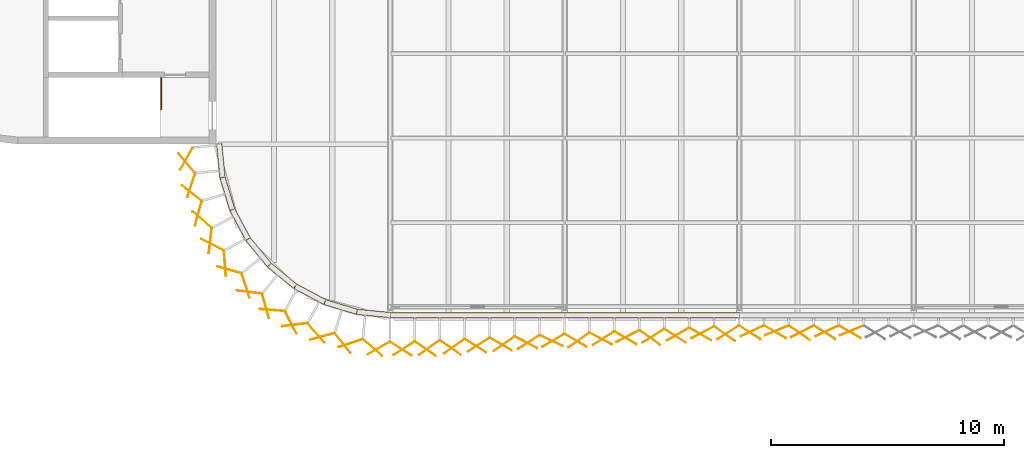
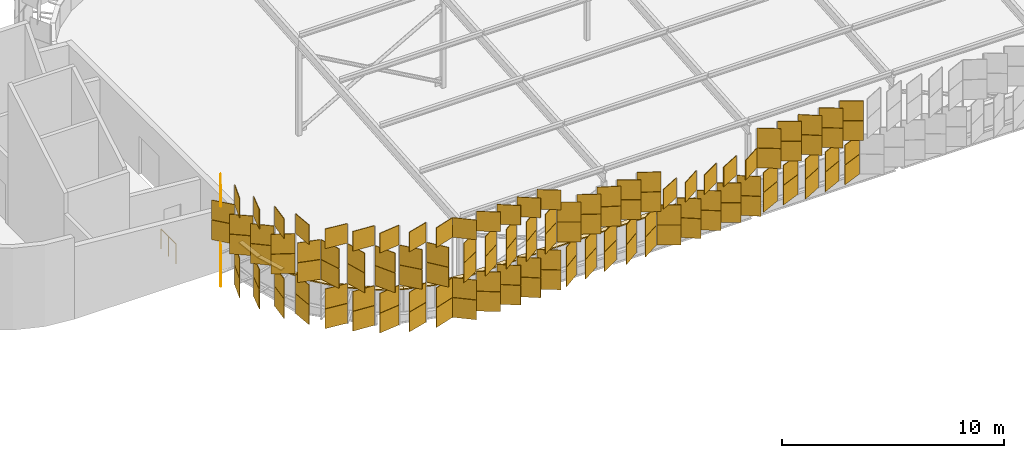
# One storey, part 461 of 483: 140 coverings, 1 railing.
"""IFC4 building model written with IfcOpenShell, lengths in metres."""

from ifc_helpers import new_model, si_unit, direction, frame, origin, origin_2d, place, context, subcontext, project, spatial, polyline, rectangle, circle, outline, extrude, material, layer, layer_set, type_object, element, save


model = new_model("IFC4")

# Units and contexts
model_context = context("Model", 3, precision=1e-05, world=origin(), true_north=direction((0.0, 1.0)))
body_context = subcontext(model_context, "Body", "Model", "MODEL_VIEW")
ifc_project = project(units=[si_unit("LENGTHUNIT", "METRE"), si_unit("AREAUNIT", "SQUARE_METRE"), si_unit("VOLUMEUNIT", "CUBIC_METRE"), si_unit("PLANEANGLEUNIT", "RADIAN"), si_unit("MASSUNIT", "GRAM", prefix="KILO")], contexts=[model_context])

# Site, building, storey
site_placement = place(None, origin())
site = spatial("IfcSite", under=ifc_project, at=site_placement, CompositionType="ELEMENT")
building_placement = place(site_placement, origin())
building = spatial("IfcBuilding", under=site, at=building_placement, Name="Parallax Yard Mobility Hub", CompositionType="ELEMENT")
storey_placement = place(building_placement, frame((0.0, 0.0, 13.199951171875)))
storey = spatial("IfcBuildingStorey", under=building, at=storey_placement, Name="L04", CompositionType="ELEMENT", Elevation=13.199951171875)

# Coverings
ifc_material_1 = material(Name="Concrete fc' 35 MPa", Category="concrete")
ifc_layer_1 = layer(ifc_material_1, 0.06005859375)
ifc_layer_set_1 = layer_set([ifc_layer_1], Name="Parapet coping, Concrete fc' 35 MPa precast, 240")
covering_type_1 = type_object("IfcCoveringType", Name="Parapet coping, Concrete fc' 35 MPa precast, 240", PredefinedType="USERDEFINED", material=ifc_layer_set_1)
covering_1_placement = place(storey_placement, frame((0.0, 0.0, 1.199951171875)))
element("IfcCovering", 1, at=covering_1_placement, inside=storey, type_object=covering_type_1, Name="Parapet coping run 5 part 1", ObjectType="COPING", PredefinedType="USERDEFINED", context=body_context, shape_type="SweptSolid", body=[
    extrude(outline(polyline([(22.76513671875, 120.02099609375), (22.5263671875, 119.997314453125), (22.671142578125, 118.53759765625), (22.90771484375, 118.584716796875), (22.76513671875, 120.02099609375)])), origin(), (0.0, 0.0, 1.0), 0.06005859375),
])
covering_2_placement = place(storey_placement, frame((0.0, 0.0, 1.199951171875)))
element("IfcCovering", 2, at=covering_2_placement, inside=storey, type_object=covering_type_1, Name="Parapet coping run 5 part 2", ObjectType="COPING", PredefinedType="USERDEFINED", context=body_context, shape_type="SweptSolid", body=[
    extrude(outline(polyline([(22.90771484375, 118.584716796875), (22.671142578125, 118.53759765625), (23.096923828125, 117.136474609375), (23.319580078125, 117.228759765625), (22.90771484375, 118.584716796875)])), origin(), (0.0, 0.0, 1.0), 0.06005859375),
])
covering_3_placement = place(storey_placement, frame((0.0, 0.0, 1.199951171875)))
element("IfcCovering", 3, at=covering_3_placement, inside=storey, type_object=covering_type_1, Name="Parapet coping run 5 part 3", ObjectType="COPING", PredefinedType="USERDEFINED", context=body_context, shape_type="SweptSolid", body=[
    extrude(outline(polyline([(23.319580078125, 117.228759765625), (23.096923828125, 117.136474609375), (23.787841796875, 115.84521484375), (23.98828125, 115.979248046875), (23.319580078125, 117.228759765625)])), origin(), (0.0, 0.0, 1.0), 0.06005859375),
])
covering_4_placement = place(storey_placement, frame((0.0, 0.0, 1.199951171875)))
element("IfcCovering", 4, at=covering_4_placement, inside=storey, type_object=covering_type_1, Name="Parapet coping run 5 part 4", ObjectType="COPING", PredefinedType="USERDEFINED", context=body_context, shape_type="SweptSolid", body=[
    extrude(outline(polyline([(23.98828125, 115.979248046875), (23.787841796875, 115.84521484375), (24.71728515625, 114.71337890625), (24.8876953125, 114.884033203125), (23.98828125, 115.979248046875)])), origin(), (0.0, 0.0, 1.0), 0.06005859375),
])
covering_5_placement = place(storey_placement, frame((0.0, 0.0, 1.199951171875)))
element("IfcCovering", 5, at=covering_5_placement, inside=storey, type_object=covering_type_1, Name="Parapet coping run 5 part 5", ObjectType="COPING", PredefinedType="USERDEFINED", context=body_context, shape_type="SweptSolid", body=[
    extrude(outline(polyline([(24.8876953125, 114.884033203125), (24.71728515625, 114.71337890625), (25.849609375, 113.784912109375), (25.9833984375, 113.9853515625), (24.8876953125, 114.884033203125)])), origin(), (0.0, 0.0, 1.0), 0.06005859375),
])
covering_6_placement = place(storey_placement, frame((0.0, 0.0, 1.199951171875)))
element("IfcCovering", 6, at=covering_6_placement, inside=storey, type_object=covering_type_1, Name="Parapet coping run 5 part 6", ObjectType="COPING", PredefinedType="USERDEFINED", context=body_context, shape_type="SweptSolid", body=[
    extrude(outline(polyline([(25.9833984375, 113.9853515625), (25.849609375, 113.784912109375), (27.14111328125, 113.0947265625), (27.2333984375, 113.3173828125), (25.9833984375, 113.9853515625)])), origin(), (0.0, 0.0, 1.0), 0.06005859375),
])
covering_7_placement = place(storey_placement, frame((0.0, 0.0, 1.199951171875)))
element("IfcCovering", 7, at=covering_7_placement, inside=storey, type_object=covering_type_1, Name="Parapet coping run 5 part 7", ObjectType="COPING", PredefinedType="USERDEFINED", context=body_context, shape_type="SweptSolid", body=[
    extrude(outline(polyline([(27.2333984375, 113.3173828125), (27.14111328125, 113.0947265625), (28.54248046875, 112.669677734375), (28.589599609375, 112.90625), (27.2333984375, 113.3173828125)])), origin(), (0.0, 0.0, 1.0), 0.06005859375),
])
covering_8_placement = place(storey_placement, frame((0.0, 0.0, 1.199951171875)))
element("IfcCovering", 8, at=covering_8_placement, inside=storey, type_object=covering_type_1, Name="Parapet coping run 5 part 8", ObjectType="COPING", PredefinedType="USERDEFINED", context=body_context, shape_type="SweptSolid", body=[
    extrude(outline(polyline([(28.589599609375, 112.90625), (28.54248046875, 112.669677734375), (30.001220703125, 112.52587890625), (30.01318359375, 112.76611328125), (28.589599609375, 112.90625)])), origin(), (0.0, 0.0, 1.0), 0.06005859375),
])
covering_9_placement = place(storey_placement, frame((0.0, 0.0, 1.199951171875)))
element("IfcCovering", 9, at=covering_9_placement, inside=storey, type_object=covering_type_1, Name="Parapet coping run 5 part 9", ObjectType="COPING", PredefinedType="USERDEFINED", context=body_context, shape_type="SweptSolid", body=[
    extrude(outline(polyline([(30.01318359375, 112.76611328125), (30.001220703125, 112.52587890625), (37.5, 112.52587890625), (37.5, 112.76611328125), (30.01318359375, 112.76611328125)])), origin(), (0.0, 0.0, 1.0), 0.06005859375),
])
covering_10_placement = place(storey_placement, frame((0.0, 0.0, 1.199951171875)))
element("IfcCovering", 10, at=covering_10_placement, inside=storey, type_object=covering_type_1, Name="Parapet coping run 5 part 10", ObjectType="COPING", PredefinedType="USERDEFINED", context=body_context, shape_type="SweptSolid", body=[
    extrude(outline(polyline([(37.5, 112.76611328125), (37.5, 112.52587890625), (45.0, 112.52587890625), (45.0, 112.76611328125), (37.5, 112.76611328125)])), origin(), (0.0, 0.0, 1.0), 0.06005859375),
])
ifc_material_2 = material(Name="Aluminium panel, silver anodised", Category="aluminium")
ifc_layer_2 = layer(ifc_material_2, 0.030029296875)
ifc_layer_set_2 = layer_set([ifc_layer_2], Name="Skin panel 22.5 degree turn, silver anodised")
covering_type_2 = type_object("IfcCoveringType", Name="Skin panel 22.5 degree turn, silver anodised", PredefinedType="CLADDING", material=ifc_layer_set_2)
for number, where, z_axis, x_axis, name in (
    (11, (46.615234375, 111.987060546875, 0.02001953125), (0.0, 0.0, 1.0), (-0.923879532511, -0.382683432365, 0.0), "Skin panel 22.5 bay 3.2 row 1 level L04"),
    (12, (46.615234375, 111.987060546875, 1.1201171875), (0.0, 0.0, 1.0), (-0.923879532511, -0.382683432365, 0.0), "Skin panel 22.5 bay 3.2 row 2 level L04"),
    (13, (49.829833984375, 111.987060546875, 0.02001953125), (0.0, 0.0, 1.0), (-0.923879532511, -0.382683432365, 0.0), "Skin panel 22.5 bay 3.5 row 1 level L04"),
    (14, (49.829833984375, 111.987060546875, 1.1201171875), (0.0, 0.0, 1.0), (-0.923879532511, -0.382683432365, 0.0), "Skin panel 22.5 bay 3.5 row 2 level L04"),
):
    element("IfcCovering", number, at=place(storey_placement, frame(where, z_axis=z_axis, x_axis=x_axis)), inside=storey, type_object=covering_type_2, Name=name, ObjectType="SCREEN", PredefinedType="CLADDING", context=body_context, shape_type="SweptSolid", body=[
        extrude(rectangle(XDim=1.080078125, YDim=0.030029296875, at=origin_2d()), origin(), (0.0, 0.0, 1.0), 1.080078125),
    ])
ifc_layer_3 = layer(ifc_material_2, 0.030029296875)
ifc_layer_set_3 = layer_set([ifc_layer_3], Name="Skin panel 25 degree turn, silver anodised")
covering_type_3 = type_object("IfcCoveringType", Name="Skin panel 25 degree turn, silver anodised", PredefinedType="CLADDING", material=ifc_layer_set_3)
for number, where, z_axis, x_axis, name in (
    (15, (36.91845703125, 111.548828125, 2.219970703125), (0.0, 0.0, 1.0), (0.906307787037, -0.422618261741, 0.0), "Skin panel 25 bay 1.7 row 3 level L04"),
    (16, (36.91845703125, 111.548828125, 3.320068359375), (0.0, 0.0, 1.0), (0.906307787037, -0.422618261741, 0.0), "Skin panel 25 bay 1.7 row 4 level L04"),
    (17, (45.5537109375, 111.96484375, 0.02001953125), (0.0, 0.0, 1.0), (-0.906307787037, -0.422618261741, 0.0), "Skin panel 25 bay 3.1 row 1 level L04"),
    (18, (45.5537109375, 111.96484375, 1.1201171875), (0.0, 0.0, 1.0), (-0.906307787037, -0.422618261741, 0.0), "Skin panel 25 bay 3.1 row 2 level L04"),
    (19, (48.76806640625, 111.96484375, 0.02001953125), (0.0, 0.0, 1.0), (-0.906307787037, -0.422618261741, 0.0), "Skin panel 25 bay 3.4 row 1 level L04"),
    (20, (48.76806640625, 111.96484375, 1.1201171875), (0.0, 0.0, 1.0), (-0.906307787037, -0.422618261741, 0.0), "Skin panel 25 bay 3.4 row 2 level L04"),
):
    element("IfcCovering", number, at=place(storey_placement, frame(where, z_axis=z_axis, x_axis=x_axis)), inside=storey, type_object=covering_type_3, Name=name, ObjectType="SCREEN", PredefinedType="CLADDING", context=body_context, shape_type="SweptSolid", body=[
        extrude(rectangle(XDim=1.080078125, YDim=0.030029296875, at=origin_2d()), origin(), (0.0, 0.0, 1.0), 1.080078125),
    ])
ifc_layer_4 = layer(ifc_material_2, 0.030029296875)
ifc_layer_set_4 = layer_set([ifc_layer_4], Name="Skin panel 27.5 degree turn, silver anodised")
covering_type_4 = type_object("IfcCoveringType", Name="Skin panel 27.5 degree turn, silver anodised", PredefinedType="CLADDING", material=ifc_layer_set_4)
for number, where, z_axis, x_axis, name in (
    (21, (35.836181640625, 111.473388671875, 2.219970703125), (0.0, 0.0, 1.0), (0.887010833178, -0.461748613235, 0.0), "Skin panel 27.5 bay 1.6 row 3 level L04"),
    (22, (35.836181640625, 111.473388671875, 3.320068359375), (0.0, 0.0, 1.0), (0.887010833178, -0.461748613235, 0.0), "Skin panel 27.5 bay 1.6 row 4 level L04"),
    (23, (39.05078125, 111.63427734375, 2.219970703125), (0.0, 0.0, 1.0), (0.887010833178, -0.461748613235, 0.0), "Skin panel 27.5 bay 2.2 row 3 level L04"),
    (24, (39.05078125, 111.63427734375, 3.320068359375), (0.0, 0.0, 1.0), (0.887010833178, -0.461748613235, 0.0), "Skin panel 27.5 bay 2.2 row 4 level L04"),
    (25, (40.206787109375, 111.7412109375, 2.219970703125), (0.0, 0.0, 1.0), (-0.887010833178, -0.461748613235, 0.0), "Skin panel 27.5 bay 2.3 row 3 level L04"),
    (26, (43.42138671875, 111.902099609375, 2.219970703125), (0.0, 0.0, 1.0), (-0.887010833178, -0.461748613235, 0.0), "Skin panel 27.5 bay 2.6 row 3 level L04"),
    (27, (47.707275390625, 111.943115234375, 0.02001953125), (0.0, 0.0, 1.0), (-0.887010833178, -0.461748613235, 0.0), "Skin panel 27.5 bay 3.3 row 1 level L04"),
    (28, (47.707275390625, 111.943115234375, 1.1201171875), (0.0, 0.0, 1.0), (-0.887010833178, -0.461748613235, 0.0), "Skin panel 27.5 bay 3.3 row 2 level L04"),
):
    element("IfcCovering", number, at=place(storey_placement, frame(where, z_axis=z_axis, x_axis=x_axis)), inside=storey, type_object=covering_type_4, Name=name, ObjectType="SCREEN", PredefinedType="CLADDING", context=body_context, shape_type="SweptSolid", body=[
        extrude(rectangle(XDim=1.080078125, YDim=0.030029296875, at=origin_2d()), origin(), (0.0, 0.0, 1.0), 1.080078125),
    ])
ifc_layer_5 = layer(ifc_material_2, 0.030029296875)
ifc_layer_set_5 = layer_set([ifc_layer_5], Name="Skin panel 30 degree turn, silver anodised")
covering_type_5 = type_object("IfcCoveringType", Name="Skin panel 30 degree turn, silver anodised", PredefinedType="CLADDING", material=ifc_layer_set_5)
for number, where, z_axis, x_axis, name in (
    (29, (34.753173828125, 111.398681640625, 2.219970703125), (0.0, 0.0, 1.0), (0.866025403784, -0.5, 0.0), "Skin panel 30 bay 1.5 row 3 level L04"),
    (30, (34.753173828125, 111.398681640625, 3.320068359375), (0.0, 0.0, 1.0), (0.866025403784, -0.5, 0.0), "Skin panel 30 bay 1.5 row 4 level L04"),
    (31, (37.00390625, 111.559326171875, 0.02001953125), (0.0, 0.0, 1.0), (-0.866025403784, -0.5, 0.0), "Skin panel 30 bay 1.7 row 1 level L04"),
    (32, (37.00390625, 111.559326171875, 1.1201171875), (0.0, 0.0, 1.0), (-0.866025403784, -0.5, 0.0), "Skin panel 30 bay 1.7 row 2 level L04"),
    (33, (37.967529296875, 111.559326171875, 2.219970703125), (0.0, 0.0, 1.0), (0.866025403784, -0.5, 0.0), "Skin panel 30 bay 2.1 row 3 level L04"),
    (34, (37.967529296875, 111.559326171875, 3.320068359375), (0.0, 0.0, 1.0), (0.866025403784, -0.5, 0.0), "Skin panel 30 bay 2.1 row 4 level L04"),
    (35, (40.110595703125, 111.66650390625, 0.02001953125), (0.0, 0.0, 1.0), (0.866025403784, -0.5, 0.0), "Skin panel 30 bay 2.3 row 1 level L04"),
    (36, (40.110595703125, 111.66650390625, 1.1201171875), (0.0, 0.0, 1.0), (0.866025403784, -0.5, 0.0), "Skin panel 30 bay 2.3 row 2 level L04"),
    (37, (42.361572265625, 111.8271484375, 2.219970703125), (0.0, 0.0, 1.0), (-0.866025403784, -0.5, 0.0), "Skin panel 30 bay 2.5 row 3 level L04"),
    (38, (43.3251953125, 111.8271484375, 0.02001953125), (0.0, 0.0, 1.0), (0.866025403784, -0.5, 0.0), "Skin panel 30 bay 2.6 row 1 level L04"),
    (39, (43.3251953125, 111.8271484375, 1.1201171875), (0.0, 0.0, 1.0), (0.866025403784, -0.5, 0.0), "Skin panel 30 bay 2.6 row 2 level L04"),
    (40, (46.53955078125, 111.921875, 2.219970703125), (0.0, 0.0, 1.0), (0.866025403784, -0.5, 0.0), "Skin panel 30 bay 3.2 row 3 level L04"),
    (41, (46.53955078125, 111.921875, 3.320068359375), (0.0, 0.0, 1.0), (0.866025403784, -0.5, 0.0), "Skin panel 30 bay 3.2 row 4 level L04"),
    (42, (49.754150390625, 111.921875, 2.219970703125), (0.0, 0.0, 1.0), (0.866025403784, -0.5, 0.0), "Skin panel 30 bay 3.5 row 3 level L04"),
    (43, (49.754150390625, 111.921875, 3.320068359375), (0.0, 0.0, 1.0), (0.866025403784, -0.5, 0.0), "Skin panel 30 bay 3.5 row 4 level L04"),
):
    element("IfcCovering", number, at=place(storey_placement, frame(where, z_axis=z_axis, x_axis=x_axis)), inside=storey, type_object=covering_type_5, Name=name, ObjectType="SCREEN", PredefinedType="CLADDING", context=body_context, shape_type="SweptSolid", body=[
        extrude(rectangle(XDim=1.080078125, YDim=0.030029296875, at=origin_2d()), origin(), (0.0, 0.0, 1.0), 1.080078125),
    ])
ifc_layer_6 = layer(ifc_material_2, 0.030029296875)
ifc_layer_set_6 = layer_set([ifc_layer_6], Name="Skin panel 32.5 degree turn, silver anodised")
covering_type_6 = type_object("IfcCoveringType", Name="Skin panel 32.5 degree turn, silver anodised", PredefinedType="CLADDING", material=ifc_layer_set_6)
for number, where, z_axis, x_axis, name in (
    (44, (21.748779296875, 117.013671875, 0.02001953125), (0.0, 0.0, 1.0), (-0.269340053953, -0.963045136708, 0.0), "Skin panel 32.5 bay 72.3 row 1 level L04"),
    (45, (21.748779296875, 117.013671875, 1.1201171875), (0.0, 0.0, 1.0), (-0.269340053953, -0.963045136708, 0.0), "Skin panel 32.5 bay 72.3 row 2 level L04"),
    (46, (21.909423828125, 116.753662109375, 2.219970703125), (0.0, 0.0, 1.0), (-0.758987281247, 0.651105449912, 0.0), "Skin panel 32.5 bay 72.3 row 3 level L04"),
    (47, (21.909423828125, 116.753662109375, 3.320068359375), (0.0, 0.0, 1.0), (-0.758987281247, 0.651105449912, 0.0), "Skin panel 32.5 bay 72.3 row 4 level L04"),
    (48, (21.748779296875, 117.013671875, 4.419921875), (0.0, 0.0, 1.0), (-0.269340053953, -0.963045136708, 0.0), "Skin panel 32.5 bay 72.3 row 5 level L04"),
    (49, (23.93896484375, 113.63818359375, 0.02001953125), (0.0, 0.0, 1.0), (-0.992809667009, 0.119703655305, 0.0), "Skin panel 32.5 bay 72.6 row 1 level L04"),
    (50, (23.93896484375, 113.63818359375, 1.1201171875), (0.0, 0.0, 1.0), (-0.992809667009, 0.119703655305, 0.0), "Skin panel 32.5 bay 72.6 row 2 level L04"),
    (51, (23.7861328125, 113.912109375, 2.219970703125), (0.0, 0.0, 1.0), (0.311091140771, -0.950380082985, 0.0), "Skin panel 32.5 bay 72.6 row 3 level L04"),
    (52, (23.7861328125, 113.912109375, 3.320068359375), (0.0, 0.0, 1.0), (0.311091140771, -0.950380082985, 0.0), "Skin panel 32.5 bay 72.6 row 4 level L04"),
    (53, (23.93896484375, 113.63818359375, 4.419921875), (0.0, 0.0, 1.0), (-0.992809667009, 0.119703655305, 0.0), "Skin panel 32.5 bay 72.6 row 5 level L04"),
    (54, (27.076171875, 111.729736328125, 0.02001953125), (0.0, 0.0, 1.0), (-0.963045136708, -0.269340053953, 0.0), "Skin panel 32.5 bay 72.9 row 1 level L04"),
    (55, (27.076171875, 111.729736328125, 1.1201171875), (0.0, 0.0, 1.0), (-0.963045136708, -0.269340053953, 0.0), "Skin panel 32.5 bay 72.9 row 2 level L04"),
    (56, (26.811279296875, 111.878662109375, 2.219970703125), (0.0, 0.0, 1.0), (0.651105449912, -0.758987281247, 0.0), "Skin panel 32.5 bay 72.9 row 3 level L04"),
    (57, (26.811279296875, 111.878662109375, 3.320068359375), (0.0, 0.0, 1.0), (0.651105449912, -0.758987281247, 0.0), "Skin panel 32.5 bay 72.9 row 4 level L04"),
    (58, (27.076171875, 111.729736328125, 4.419921875), (0.0, 0.0, 1.0), (-0.963045136708, -0.269340053953, 0.0), "Skin panel 32.5 bay 72.9 row 5 level L04"),
    (59, (30.45458984375, 111.201171875, 0.02001953125), (0.0, 0.0, 1.0), (0.843391445813, -0.537299608347, 0.0), "Skin panel 32.5 bay 1.1 row 1 level L04"),
    (60, (30.45458984375, 111.201171875, 1.1201171875), (0.0, 0.0, 1.0), (0.843391445813, -0.537299608347, 0.0), "Skin panel 32.5 bay 1.1 row 2 level L04"),
    (61, (30.58740234375, 111.217041015625, 2.219970703125), (0.0, 0.0, 1.0), (-0.843391445813, -0.537299608347, 0.0), "Skin panel 32.5 bay 1.1 row 3 level L04"),
    (62, (30.58740234375, 111.217041015625, 3.320068359375), (0.0, 0.0, 1.0), (-0.843391445813, -0.537299608347, 0.0), "Skin panel 32.5 bay 1.1 row 4 level L04"),
    (63, (30.45458984375, 111.201171875, 4.419921875), (0.0, 0.0, 1.0), (0.843391445813, -0.537299608347, 0.0), "Skin panel 32.5 bay 1.1 row 5 level L04"),
    (64, (33.6689453125, 111.32421875, 0.02001953125), (0.0, 0.0, 1.0), (0.843391445813, -0.537299608347, 0.0), "Skin panel 32.5 bay 1.4 row 1 level L04"),
    (65, (33.6689453125, 111.32421875, 1.1201171875), (0.0, 0.0, 1.0), (0.843391445813, -0.537299608347, 0.0), "Skin panel 32.5 bay 1.4 row 2 level L04"),
    (66, (33.802001953125, 111.3779296875, 2.219970703125), (0.0, 0.0, 1.0), (-0.843391445813, -0.537299608347, 0.0), "Skin panel 32.5 bay 1.4 row 3 level L04"),
    (67, (33.802001953125, 111.3779296875, 3.320068359375), (0.0, 0.0, 1.0), (-0.843391445813, -0.537299608347, 0.0), "Skin panel 32.5 bay 1.4 row 4 level L04"),
    (68, (33.6689453125, 111.32421875, 4.419921875), (0.0, 0.0, 1.0), (0.843391445813, -0.537299608347, 0.0), "Skin panel 32.5 bay 1.4 row 5 level L04"),
    (69, (35.945068359375, 111.485107421875, 0.02001953125), (0.0, 0.0, 1.0), (-0.843391445813, -0.537299608347, 0.0), "Skin panel 32.5 bay 1.6 row 1 level L04"),
    (70, (35.945068359375, 111.485107421875, 1.1201171875), (0.0, 0.0, 1.0), (-0.843391445813, -0.537299608347, 0.0), "Skin panel 32.5 bay 1.6 row 2 level L04"),
    (71, (39.15966796875, 111.645751953125, 0.02001953125), (0.0, 0.0, 1.0), (-0.843391445813, -0.537299608347, 0.0), "Skin panel 32.5 bay 2.2 row 1 level L04"),
    (72, (39.15966796875, 111.645751953125, 1.1201171875), (0.0, 0.0, 1.0), (-0.843391445813, -0.537299608347, 0.0), "Skin panel 32.5 bay 2.2 row 2 level L04"),
    (73, (41.302490234375, 111.7529296875, 2.219970703125), (0.0, 0.0, 1.0), (-0.843391445813, -0.537299608347, 0.0), "Skin panel 32.5 bay 2.4 row 3 level L04"),
    (74, (42.240966796875, 111.7529296875, 0.02001953125), (0.0, 0.0, 1.0), (0.843391445813, -0.537299608347, 0.0), "Skin panel 32.5 bay 2.5 row 1 level L04"),
    (75, (42.240966796875, 111.7529296875, 1.1201171875), (0.0, 0.0, 1.0), (0.843391445813, -0.537299608347, 0.0), "Skin panel 32.5 bay 2.5 row 2 level L04"),
    (76, (44.51708984375, 111.901123046875, 2.219970703125), (0.0, 0.0, 1.0), (-0.843391445813, -0.537299608347, 0.0), "Skin panel 32.5 bay 2.7 row 3 level L04"),
    (77, (45.45556640625, 111.901123046875, 2.219970703125), (0.0, 0.0, 1.0), (0.843391445813, -0.537299608347, 0.0), "Skin panel 32.5 bay 3.1 row 3 level L04"),
    (78, (45.45556640625, 111.901123046875, 3.320068359375), (0.0, 0.0, 1.0), (0.843391445813, -0.537299608347, 0.0), "Skin panel 32.5 bay 3.1 row 4 level L04"),
    (79, (48.669921875, 111.901123046875, 2.219970703125), (0.0, 0.0, 1.0), (0.843391445813, -0.537299608347, 0.0), "Skin panel 32.5 bay 3.4 row 3 level L04"),
    (80, (48.669921875, 111.901123046875, 3.320068359375), (0.0, 0.0, 1.0), (0.843391445813, -0.537299608347, 0.0), "Skin panel 32.5 bay 3.4 row 4 level L04"),
):
    element("IfcCovering", number, at=place(storey_placement, frame(where, z_axis=z_axis, x_axis=x_axis)), inside=storey, type_object=covering_type_6, Name=name, ObjectType="SCREEN", PredefinedType="CLADDING", context=body_context, shape_type="SweptSolid", body=[
        extrude(rectangle(XDim=1.080078125, YDim=0.030029296875, at=origin_2d()), origin(), (0.0, 0.0, 1.0), 1.080078125),
    ])
ifc_layer_7 = layer(ifc_material_2, 0.030029296875)
ifc_layer_set_7 = layer_set([ifc_layer_7], Name="Skin panel 35 degree turn, silver anodised")
covering_type_7 = type_object("IfcCoveringType", Name="Skin panel 35 degree turn, silver anodised", PredefinedType="CLADDING", material=ifc_layer_set_7)
for number, where, z_axis, x_axis, name in (
    (81, (21.23681640625, 119.36669921875, 0.02001953125), (0.0, 0.0, 1.0), (-0.490523568159, -0.87142792535, 0.0), "Skin panel 35 bay 72.1 row 1 level L04"),
    (82, (21.23681640625, 119.36669921875, 1.1201171875), (0.0, 0.0, 1.0), (-0.490523568159, -0.87142792535, 0.0), "Skin panel 35 bay 72.1 row 2 level L04"),
    (83, (21.255615234375, 119.175537109375, 2.219970703125), (0.0, 0.0, 1.0), (-0.651105449912, 0.758987281247, 0.0), "Skin panel 35 bay 72.1 row 3 level L04"),
    (84, (21.255615234375, 119.175537109375, 3.320068359375), (0.0, 0.0, 1.0), (-0.651105449912, 0.758987281247, 0.0), "Skin panel 35 bay 72.1 row 4 level L04"),
    (85, (21.23681640625, 119.36669921875, 4.419921875), (0.0, 0.0, 1.0), (-0.490523568159, -0.87142792535, 0.0), "Skin panel 35 bay 72.1 row 5 level L04"),
    (86, (21.44482421875, 118.224609375, 0.02001953125), (0.0, 0.0, 1.0), (-0.311091140771, -0.950380082985, 0.0), "Skin panel 35 bay 72.2 row 1 level L04"),
    (87, (21.44482421875, 118.224609375, 1.1201171875), (0.0, 0.0, 1.0), (-0.311091140771, -0.950380082985, 0.0), "Skin panel 35 bay 72.2 row 2 level L04"),
    (88, (21.4609375, 117.892822265625, 2.219970703125), (0.0, 0.0, 1.0), (-0.786665714369, 0.617379181571, 0.0), "Skin panel 35 bay 72.2 row 3 level L04"),
    (89, (21.4609375, 117.892822265625, 3.320068359375), (0.0, 0.0, 1.0), (-0.786665714369, 0.617379181571, 0.0), "Skin panel 35 bay 72.2 row 4 level L04"),
    (90, (21.44482421875, 118.224609375, 4.419921875), (0.0, 0.0, 1.0), (-0.311091140771, -0.950380082985, 0.0), "Skin panel 35 bay 72.2 row 5 level L04"),
    (91, (22.26513671875, 115.839111328125, 0.02001953125), (0.0, 0.0, 1.0), (-0.119703655305, -0.992809667009, 0.0), "Skin panel 35 bay 72.4 row 1 level L04"),
    (92, (22.26513671875, 115.839111328125, 1.1201171875), (0.0, 0.0, 1.0), (-0.119703655305, -0.992809667009, 0.0), "Skin panel 35 bay 72.4 row 2 level L04"),
    (93, (22.355712890625, 115.669677734375, 2.219970703125), (0.0, 0.0, 1.0), (-0.891994856589, 0.452045546177, 0.0), "Skin panel 35 bay 72.4 row 3 level L04"),
    (94, (22.355712890625, 115.669677734375, 3.320068359375), (0.0, 0.0, 1.0), (-0.891994856589, 0.452045546177, 0.0), "Skin panel 35 bay 72.4 row 4 level L04"),
    (95, (22.26513671875, 115.839111328125, 4.419921875), (0.0, 0.0, 1.0), (-0.119703655305, -0.992809667009, 0.0), "Skin panel 35 bay 72.4 row 5 level L04"),
    (96, (22.894287109375, 114.86328125, 0.02001953125), (0.0, 0.0, 1.0), (0.076283974504, -0.997086132304, 0.0), "Skin panel 35 bay 72.5 row 1 level L04"),
    (97, (22.894287109375, 114.86328125, 1.1201171875), (0.0, 0.0, 1.0), (0.076283974504, -0.997086132304, 0.0), "Skin panel 35 bay 72.5 row 2 level L04"),
    (98, (23.077392578125, 114.590576171875, 2.219970703125), (0.0, 0.0, 1.0), (-0.963045136708, 0.269340053953, 0.0), "Skin panel 35 bay 72.5 row 3 level L04"),
    (99, (23.077392578125, 114.590576171875, 3.320068359375), (0.0, 0.0, 1.0), (-0.963045136708, 0.269340053953, 0.0), "Skin panel 35 bay 72.5 row 4 level L04"),
    (100, (22.894287109375, 114.86328125, 4.419921875), (0.0, 0.0, 1.0), (0.076283974504, -0.997086132304, 0.0), "Skin panel 35 bay 72.5 row 5 level L04"),
    (101, (24.921142578125, 112.863525390625, 0.02001953125), (0.0, 0.0, 1.0), (-0.997086132304, 0.076283974504, 0.0), "Skin panel 35 bay 72.7 row 1 level L04"),
    (102, (24.921142578125, 112.863525390625, 1.1201171875), (0.0, 0.0, 1.0), (-0.997086132304, 0.076283974504, 0.0), "Skin panel 35 bay 72.7 row 2 level L04"),
    (103, (24.64111328125, 113.035888671875, 2.219970703125), (0.0, 0.0, 1.0), (0.269340053953, -0.963045136708, 0.0), "Skin panel 35 bay 72.7 row 3 level L04"),
    (104, (24.64111328125, 113.035888671875, 3.320068359375), (0.0, 0.0, 1.0), (0.269340053953, -0.963045136708, 0.0), "Skin panel 35 bay 72.7 row 4 level L04"),
    (105, (24.921142578125, 112.863525390625, 4.419921875), (0.0, 0.0, 1.0), (-0.997086132304, 0.076283974504, 0.0), "Skin panel 35 bay 72.7 row 5 level L04"),
    (106, (25.896728515625, 112.234375, 0.02001953125), (0.0, 0.0, 1.0), (-0.992809667009, -0.119703655305, 0.0), "Skin panel 35 bay 72.8 row 1 level L04"),
    (107, (25.896728515625, 112.234375, 1.1201171875), (0.0, 0.0, 1.0), (-0.992809667009, -0.119703655305, 0.0), "Skin panel 35 bay 72.8 row 2 level L04"),
    (108, (25.727294921875, 112.324951171875, 2.219970703125), (0.0, 0.0, 1.0), (0.452045546177, -0.891994856589, 0.0), "Skin panel 35 bay 72.8 row 3 level L04"),
    (109, (25.727294921875, 112.324951171875, 3.320068359375), (0.0, 0.0, 1.0), (0.452045546177, -0.891994856589, 0.0), "Skin panel 35 bay 72.8 row 4 level L04"),
    (110, (25.896728515625, 112.234375, 4.419921875), (0.0, 0.0, 1.0), (-0.992809667009, -0.119703655305, 0.0), "Skin panel 35 bay 72.8 row 5 level L04"),
    (111, (28.28955078125, 111.4384765625, 0.02001953125), (0.0, 0.0, 1.0), (-0.950380082985, -0.311091140771, 0.0), "Skin panel 35 bay 72.10 row 1 level L04"),
    (112, (28.28955078125, 111.4384765625, 1.1201171875), (0.0, 0.0, 1.0), (-0.950380082985, -0.311091140771, 0.0), "Skin panel 35 bay 72.10 row 2 level L04"),
    (113, (27.955322265625, 111.44189453125, 2.219970703125), (0.0, 0.0, 1.0), (0.617379181571, -0.786665714369, 0.0), "Skin panel 35 bay 72.10 row 3 level L04"),
    (114, (27.955322265625, 111.44189453125, 3.320068359375), (0.0, 0.0, 1.0), (0.617379181571, -0.786665714369, 0.0), "Skin panel 35 bay 72.10 row 4 level L04"),
    (115, (28.28955078125, 111.4384765625, 4.419921875), (0.0, 0.0, 1.0), (-0.950380082985, -0.311091140771, 0.0), "Skin panel 35 bay 72.10 row 5 level L04"),
    (116, (29.240478515625, 111.249267578125, 0.02001953125), (0.0, 0.0, 1.0), (0.758987281247, -0.651105449912, 0.0), "Skin panel 35 bay 72.11 row 1 level L04"),
    (117, (29.240478515625, 111.249267578125, 1.1201171875), (0.0, 0.0, 1.0), (0.758987281247, -0.651105449912, 0.0), "Skin panel 35 bay 72.11 row 2 level L04"),
    (118, (29.50048828125, 111.22705078125, 2.219970703125), (0.0, 0.0, 1.0), (-0.87142792535, -0.490523568159, 0.0), "Skin panel 35 bay 72.11 row 3 level L04"),
    (119, (29.50048828125, 111.22705078125, 3.320068359375), (0.0, 0.0, 1.0), (-0.87142792535, -0.490523568159, 0.0), "Skin panel 35 bay 72.11 row 4 level L04"),
    (120, (29.240478515625, 111.249267578125, 4.419921875), (0.0, 0.0, 1.0), (0.758987281247, -0.651105449912, 0.0), "Skin panel 35 bay 72.11 row 5 level L04"),
    (121, (31.512451171875, 111.197021484375, 0.02001953125), (0.0, 0.0, 1.0), (0.819152044289, -0.573576436351, 0.0), "Skin panel 35 bay 1.2 row 1 level L04"),
    (122, (31.512451171875, 111.197021484375, 1.1201171875), (0.0, 0.0, 1.0), (0.819152044289, -0.573576436351, 0.0), "Skin panel 35 bay 1.2 row 2 level L04"),
    (123, (31.672607421875, 111.25048828125, 2.219970703125), (0.0, 0.0, 1.0), (-0.819152044289, -0.573576436351, 0.0), "Skin panel 35 bay 1.2 row 3 level L04"),
    (124, (31.672607421875, 111.25048828125, 3.320068359375), (0.0, 0.0, 1.0), (-0.819152044289, -0.573576436351, 0.0), "Skin panel 35 bay 1.2 row 4 level L04"),
    (125, (31.512451171875, 111.197021484375, 4.419921875), (0.0, 0.0, 1.0), (0.819152044289, -0.573576436351, 0.0), "Skin panel 35 bay 1.2 row 5 level L04"),
    (126, (32.583984375, 111.25048828125, 0.02001953125), (0.0, 0.0, 1.0), (0.819152044289, -0.573576436351, 0.0), "Skin panel 35 bay 1.3 row 1 level L04"),
    (127, (32.583984375, 111.25048828125, 1.1201171875), (0.0, 0.0, 1.0), (0.819152044289, -0.573576436351, 0.0), "Skin panel 35 bay 1.3 row 2 level L04"),
    (128, (32.743896484375, 111.30419921875, 2.219970703125), (0.0, 0.0, 1.0), (-0.819152044289, -0.573576436351, 0.0), "Skin panel 35 bay 1.3 row 3 level L04"),
    (129, (32.743896484375, 111.30419921875, 3.320068359375), (0.0, 0.0, 1.0), (-0.819152044289, -0.573576436351, 0.0), "Skin panel 35 bay 1.3 row 4 level L04"),
    (130, (32.583984375, 111.25048828125, 4.419921875), (0.0, 0.0, 1.0), (0.819152044289, -0.573576436351, 0.0), "Skin panel 35 bay 1.3 row 5 level L04"),
    (131, (34.886962890625, 111.4111328125, 0.02001953125), (0.0, 0.0, 1.0), (-0.819152044289, -0.573576436351, 0.0), "Skin panel 35 bay 1.5 row 1 level L04"),
    (132, (34.886962890625, 111.4111328125, 1.1201171875), (0.0, 0.0, 1.0), (-0.819152044289, -0.573576436351, 0.0), "Skin panel 35 bay 1.5 row 2 level L04"),
    (133, (38.1015625, 111.572021484375, 0.02001953125), (0.0, 0.0, 1.0), (-0.819152044289, -0.573576436351, 0.0), "Skin panel 35 bay 2.1 row 1 level L04"),
    (134, (38.1015625, 111.572021484375, 1.1201171875), (0.0, 0.0, 1.0), (-0.819152044289, -0.573576436351, 0.0), "Skin panel 35 bay 2.1 row 2 level L04"),
    (135, (41.156005859375, 111.67919921875, 0.02001953125), (0.0, 0.0, 1.0), (0.819152044289, -0.573576436351, 0.0), "Skin panel 35 bay 2.4 row 1 level L04"),
    (136, (41.156005859375, 111.67919921875, 1.1201171875), (0.0, 0.0, 1.0), (0.819152044289, -0.573576436351, 0.0), "Skin panel 35 bay 2.4 row 2 level L04"),
    (137, (44.37060546875, 111.83984375, 0.02001953125), (0.0, 0.0, 1.0), (0.819152044289, -0.573576436351, 0.0), "Skin panel 35 bay 2.7 row 1 level L04"),
    (138, (44.37060546875, 111.83984375, 1.1201171875), (0.0, 0.0, 1.0), (0.819152044289, -0.573576436351, 0.0), "Skin panel 35 bay 2.7 row 2 level L04"),
    (139, (47.5849609375, 111.880859375, 2.219970703125), (0.0, 0.0, 1.0), (0.819152044289, -0.573576436351, 0.0), "Skin panel 35 bay 3.3 row 3 level L04"),
    (140, (47.5849609375, 111.880859375, 3.320068359375), (0.0, 0.0, 1.0), (0.819152044289, -0.573576436351, 0.0), "Skin panel 35 bay 3.3 row 4 level L04"),
):
    element("IfcCovering", number, at=place(storey_placement, frame(where, z_axis=z_axis, x_axis=x_axis)), inside=storey, type_object=covering_type_7, Name=name, ObjectType="SCREEN", PredefinedType="CLADDING", context=body_context, shape_type="SweptSolid", body=[
        extrude(rectangle(XDim=1.080078125, YDim=0.030029296875, at=origin_2d()), origin(), (0.0, 0.0, 1.0), 1.080078125),
    ])

# Railing
ifc_material_3 = material(Name="Steel ASTM A36", Category="steel")
railing_type = type_object("IfcRailingType", Name="Stair guard 1100", PredefinedType="GUARDRAIL", material=ifc_material_3)
railing_placement = place(storey_placement, frame((20.14990234375, 122.85009765625, 0.0)))
element("IfcRailing", 141, at=railing_placement, inside=storey, type_object=railing_type, Name="L04 ST1 top well guard 1", PredefinedType="GUARDRAIL", context=body_context, shape_type="SweptSolid", body=[
    extrude(circle(Radius=0.02392578125, at=origin_2d()), frame((0.0, 0.0, 1.076171875), z_axis=(0.0, -1.0, 0.0), x_axis=(1.0, 0.0, 0.0)), (0.0, 0.0, 1.0), 1.35009765625),
    extrude(circle(Radius=0.02099609375, at=origin_2d()), origin(), (0.0, 0.0, 1.0), 1.052001953125),
    extrude(circle(Radius=0.02099609375, at=origin_2d()), frame((0.0, -0.675048828125, 0.0)), (0.0, 0.0, 1.0), 1.052001953125),
    extrude(circle(Radius=0.02099609375, at=origin_2d()), frame((0.0, -1.35009765625, 0.0)), (0.0, 0.0, 1.0), 1.052001953125),
])

save(model, "model.ifc")
